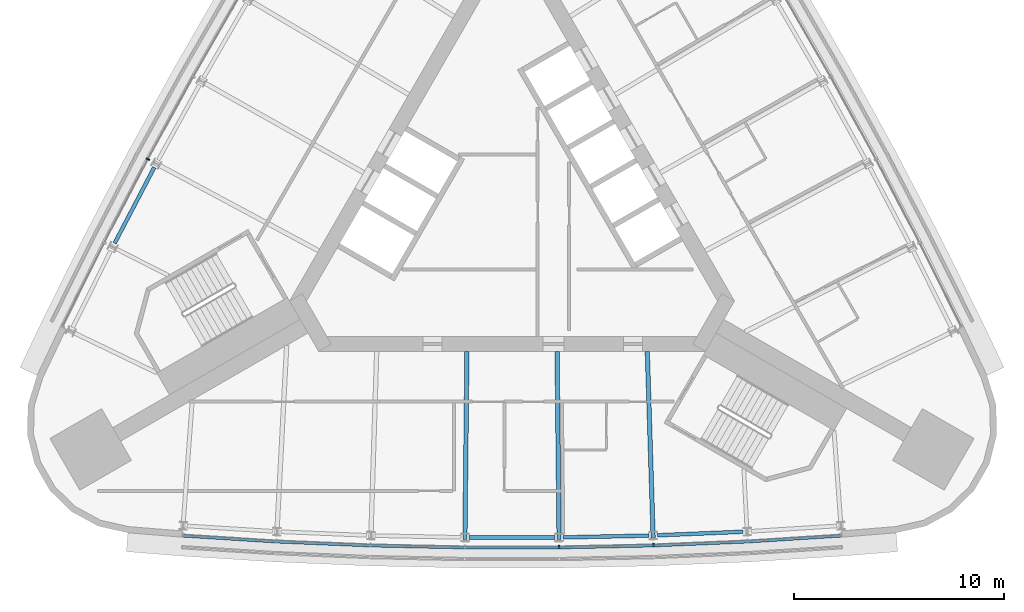
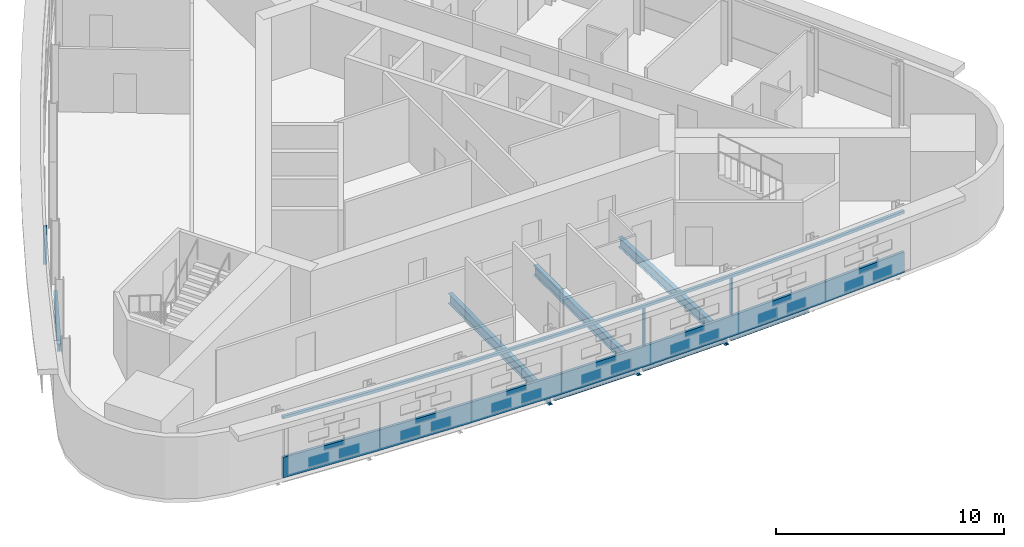
# One storey, part 3 of 12: 7 beams, 5 members, 2 elements without a shape of their own.
"""IFC4 building model written with IfcOpenShell, lengths in metres."""

from ifc_helpers import new_model, si_unit, direction, frame, origin, origin_2d, place, context, subcontext, project, spatial, polyline, rectangle, i_section, outline, extrude, material, material_profile, profile_set, type_object, element, aggregate, save


model = new_model("IFC4")

# Units and contexts
model_context = context("Model", 3, precision=1e-05, world=origin(), true_north=direction((0.0, 1.0)))
body_context = subcontext(model_context, "Body", "Model", "MODEL_VIEW")
ifc_project = project(units=[si_unit("LENGTHUNIT", "METRE"), si_unit("AREAUNIT", "SQUARE_METRE"), si_unit("VOLUMEUNIT", "CUBIC_METRE"), si_unit("PLANEANGLEUNIT", "RADIAN"), si_unit("MASSUNIT", "GRAM", prefix="KILO")], contexts=[model_context])

# Site, building, storey
site_placement = place(None, origin())
site = spatial("IfcSite", under=ifc_project, at=site_placement, CompositionType="ELEMENT")
building_placement = place(site_placement, origin())
building = spatial("IfcBuilding", under=site, at=building_placement, Name="Noor Cloister Tower", CompositionType="ELEMENT")
storey_placement = place(building_placement, frame((0.0, 0.0, 161.699951171875)))
storey = spatial("IfcBuildingStorey", under=building, at=storey_placement, Name="L41", CompositionType="ELEMENT", Elevation=161.699951171875)

# Curtain wall, member
ifc_material_1 = material(Name="Aluminium 6063-T6 anodised", Category="aluminium")
curtain_wall_type = type_object("IfcCurtainWallType", Name="Ribbon curtain wall, upper tower CW5", PredefinedType="NOTDEFINED", material=ifc_material_1)
curtain_wall_1_placement = place(storey_placement, origin())
curtain_wall_1 = element("IfcCurtainWall", 1, at=curtain_wall_1_placement, inside=storey, type_object=curtain_wall_type, Name="CW5 L41 S run 2", PredefinedType="NOTDEFINED")
ifc_material_2 = material(Name="Aluminium 6063-T6 anodised", Category="aluminium")
member_type_1 = type_object("IfcMemberType", Name="Head transom CW5 150", PredefinedType="USERDEFINED", material=ifc_material_2)
member_1_placement = place(storey_placement, frame((0.0, 0.0, 3.150146484375)))
member_1 = element("IfcMember", 2, at=member_1_placement, type_object=member_type_1, Name="CW5 head transom", ObjectType="TRANSOM", PredefinedType="USERDEFINED", context=body_context, shape_type="SweptSolid", body=[
    extrude(outline(polyline([(-15.73583984375, -15.79345703125), (-11.244873046875, -16.075927734375), (-6.748779296875, -16.264404296875), (-2.25, -16.358642578125), (2.25, -16.358642578125), (6.748779296875, -16.264404296875), (11.244873046875, -16.075927734375), (15.73583984375, -15.79345703125), (15.72705078125, -15.65380859375), (11.237548828125, -15.936279296875), (6.744384765625, -16.12451171875), (2.24853515625, -16.21875), (-2.24853515625, -16.21875), (-6.744384765625, -16.12451171875), (-11.237548828125, -15.936279296875), (-15.72705078125, -15.65380859375), (-15.73583984375, -15.79345703125)])), origin(), (0.0, 0.0, 1.0), 0.14990234375),
])

curtain_wall_2_placement = place(storey_placement, origin())
curtain_wall_2 = element("IfcCurtainWall", 3, at=curtain_wall_2_placement, inside=storey, type_object=curtain_wall_type, Name="CW5 L41 NW run 1", PredefinedType="NOTDEFINED")
ifc_material_3 = material(Name="Aluminium 6063-T6 anodised", Category="aluminium")
ifc_material_profile_1 = material_profile(ifc_material_3, rectangle(XDim=0.179931640625, YDim=0.070068359375, at=origin_2d()), Name="180 x 70 mullion")
ifc_profile_set_1 = profile_set([ifc_material_profile_1], Name="Aluminium 6063-T6 anodised")
member_type_2 = type_object("IfcMemberType", Name="Mullion CW5 70 x 180", PredefinedType="MULLION", material=ifc_profile_set_1)
member_2_placement = place(storey_placement, frame((-17.371826171875, 2.240234375, 1.10009765625), z_axis=(0.0, 0.0, 1.0), x_axis=(0.881305167553, -0.472547565483, 0.0)))
member_2 = element("IfcMember", 4, at=member_2_placement, type_object=member_type_2, Name="CW5 mullion 6", PredefinedType="MULLION", context=body_context, shape_type="SweptSolid", body=[
    extrude(rectangle(XDim=0.179931640625, YDim=0.070068359375, at=origin_2d()), origin(), (0.0, 0.0, 1.0), 2.050048828125),
])
aggregate(curtain_wall_2, [member_2])

# Member
member_3_placement = place(storey_placement, frame((2.2490234375, -16.2587890625, 1.10009765625), z_axis=(0.0, 0.0, 1.0), x_axis=(-0.010472988327, 0.999945156754, 0.0)))
member_3 = element("IfcMember", 5, at=member_3_placement, type_object=member_type_2, Name="CW5 mullion 5", PredefinedType="MULLION", context=body_context, shape_type="SweptSolid", body=[
    extrude(rectangle(XDim=0.179931640625, YDim=0.070068359375, at=origin_2d()), origin(), (0.0, 0.0, 1.0), 2.050048828125),
])

member_4_placement = place(storey_placement, frame((6.745849609375, -16.16455078125, 1.10009765625), z_axis=(0.0, 0.0, 1.0), x_axis=(-0.031414387571, 0.999506446329, 0.0)))
member_4 = element("IfcMember", 6, at=member_4_placement, type_object=member_type_2, Name="CW5 mullion 6", PredefinedType="MULLION", context=body_context, shape_type="SweptSolid", body=[
    extrude(rectangle(XDim=0.179931640625, YDim=0.070068359375, at=origin_2d()), origin(), (0.0, 0.0, 1.0), 2.050048828125),
])

# Beams
ifc_material_4 = material(Name="Steel ASTM A992 Gr 50", Category="steel")
ifc_material_profile_2 = material_profile(ifc_material_4, i_section(OverallWidth=0.208984375, OverallDepth=0.532958984375, WebThickness=0.01025390625, FlangeThickness=0.015625, FilletRadius=0.0126953125, at=origin_2d()), Name="W530x92")
ifc_profile_set_2 = profile_set([ifc_material_profile_2], Name="Steel ASTM A992 Gr 50")
beam_type_1 = type_object("IfcBeamType", Name="Radial beam W530x92", PredefinedType="BEAM", material=ifc_profile_set_2)
for number, where, z_axis, x_axis, name in (
    (7, (-2.245361328125, -15.915771484375, -0.466552734375), (0.010484849986, 0.99994503245, 0.0), (-0.99994503245, 0.010484849986, 0.0), "Radial beam S 04 L41"),
    (8, (2.245361328125, -15.915771484375, -0.466552734375), (-0.010484849986, 0.99994503245, 0.0), (-0.99994503245, -0.010484849986, 0.0), "Radial beam S 05 L41"),
):
    element("IfcBeam", number, at=place(storey_placement, frame(where, z_axis=z_axis, x_axis=x_axis)), inside=storey, type_object=beam_type_1, Name=name, PredefinedType="BEAM", context=body_context, shape_type="SweptSolid", body=[
        extrude(i_section(OverallWidth=0.208984375, OverallDepth=0.532958984375, WebThickness=0.01025390625, FlangeThickness=0.015625, FilletRadius=0.0126953125, at=origin_2d()), origin(), (0.0, 0.0, 1.0), 8.988037109375),
    ])
beam_placement = place(storey_placement, frame((6.73486328125, -15.82177734375, -0.466552734375), z_axis=(-0.031388939531, 0.999507245834, 0.0), x_axis=(-0.999507245834, -0.031388939531, 0.0)))
element("IfcBeam", 9, at=beam_placement, inside=storey, type_object=beam_type_1, Name="Radial beam S 06 L41", PredefinedType="BEAM", context=body_context, shape_type="SweptSolid", body=[
    extrude(i_section(OverallWidth=0.208984375, OverallDepth=0.532958984375, WebThickness=0.01025390625, FlangeThickness=0.015625, FilletRadius=0.0126953125, at=origin_2d()), origin(), (0.0, 0.0, 1.0), 8.89794921875),
])

# Member
ifc_material_5 = material(Name="Aluminium 6063-T6 anodised", Category="aluminium")
member_type_3 = type_object("IfcMemberType", Name="Sill transom CW5 1100", PredefinedType="USERDEFINED", material=ifc_material_5)
member_5_placement = place(storey_placement, origin())
member_5 = element("IfcMember", 10, at=member_5_placement, type_object=member_type_3, Name="CW5 sill transom", ObjectType="TRANSOM", PredefinedType="USERDEFINED", context=body_context, shape_type="SweptSolid", body=[
    extrude(outline(polyline([(-15.73583984375, -15.79345703125), (-11.244873046875, -16.075927734375), (-6.748779296875, -16.264404296875), (-2.25, -16.358642578125), (2.25, -16.358642578125), (6.748779296875, -16.264404296875), (11.244873046875, -16.075927734375), (15.73583984375, -15.79345703125), (15.72705078125, -15.65380859375), (11.237548828125, -15.936279296875), (6.744384765625, -16.12451171875), (2.24853515625, -16.21875), (-2.24853515625, -16.21875), (-6.744384765625, -16.12451171875), (-11.237548828125, -15.936279296875), (-15.72705078125, -15.65380859375), (-15.73583984375, -15.79345703125)])), origin(), (0.0, 0.0, 1.0), 1.10009765625),
])

aggregate(curtain_wall_1, [member_3, member_4, member_5, member_1])

# Beams
ifc_material_6 = material(Name="Steel ASTM A992 Gr 50", Category="steel")
ifc_material_profile_3 = material_profile(ifc_material_6, i_section(OverallWidth=0.177978515625, OverallDepth=0.406005859375, WebThickness=0.0078125, FlangeThickness=0.0126953125, FilletRadius=0.01025390625, at=origin_2d()), Name="W410x60")
ifc_profile_set_3 = profile_set([ifc_material_profile_3], Name="Steel ASTM A992 Gr 50")
beam_type_2 = type_object("IfcBeamType", Name="Spandrel beam W410x60", PredefinedType="SPANDREL", material=ifc_profile_set_3)
for number, where, z_axis, x_axis, name in (
    (11, (-17.067626953125, 1.850830078125, -0.40283203125), (-0.463284047748, -0.886209845975, 0.0), (0.886209845975, -0.463284047748, 0.0), "Spandrel beam NW 06 L41"),
    (12, (-2.044677734375, -15.808837890625, -0.40283203125), (1.0, 0.0, 0.0), (0.0, 1.0, 0.0), "Spandrel beam S 04 L41"),
):
    element("IfcBeam", number, at=place(storey_placement, frame(where, z_axis=z_axis, x_axis=x_axis)), inside=storey, type_object=beam_type_2, Name=name, PredefinedType="SPANDREL", context=body_context, shape_type="SweptSolid", body=[
        extrude(i_section(OverallWidth=0.177978515625, OverallDepth=0.406005859375, WebThickness=0.0078125, FlangeThickness=0.0126953125, FilletRadius=0.01025390625, at=origin_2d()), origin(), (0.0, 0.0, 1.0), 4.08935546875),
    ])
for number, where, z_axis, x_axis, name in (
    (13, (2.443603515625, -15.8046875, -0.40283203125), (0.999780432962, 0.020954375827, 0.0), (-0.020954375827, 0.999780432962, 0.0), "Spandrel beam S 05 L41"),
    (14, (6.930908203125, -15.706298828125, -0.40283203125), (0.99912394431, 0.041849061004, 0.0), (-0.041849061004, 0.99912394431, 0.0), "Spandrel beam S 06 L41"),
):
    element("IfcBeam", number, at=place(storey_placement, frame(where, z_axis=z_axis, x_axis=x_axis)), inside=storey, type_object=beam_type_2, Name=name, PredefinedType="SPANDREL", context=body_context, shape_type="SweptSolid", body=[
        extrude(i_section(OverallWidth=0.177978515625, OverallDepth=0.406005859375, WebThickness=0.0078125, FlangeThickness=0.0126953125, FilletRadius=0.01025390625, at=origin_2d()), origin(), (0.0, 0.0, 1.0), 4.089599609375),
    ])

save(model, "model.ifc")
